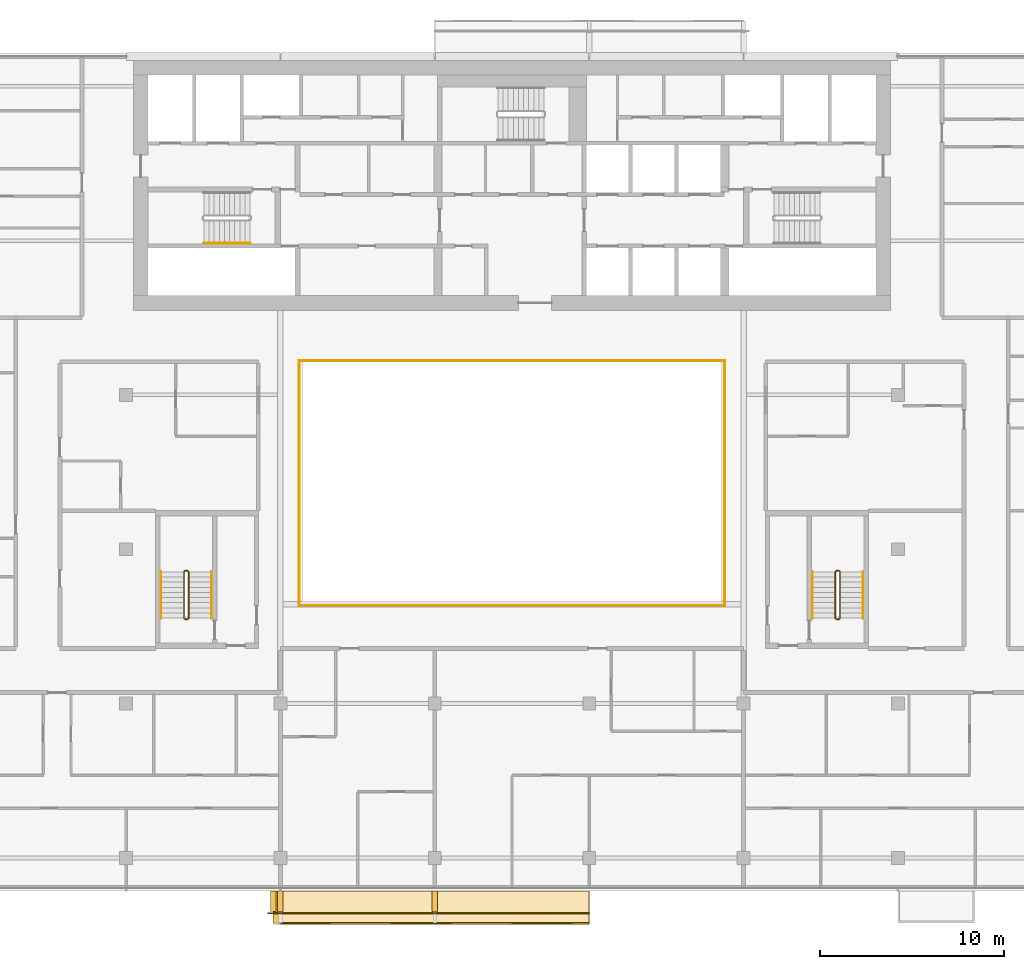
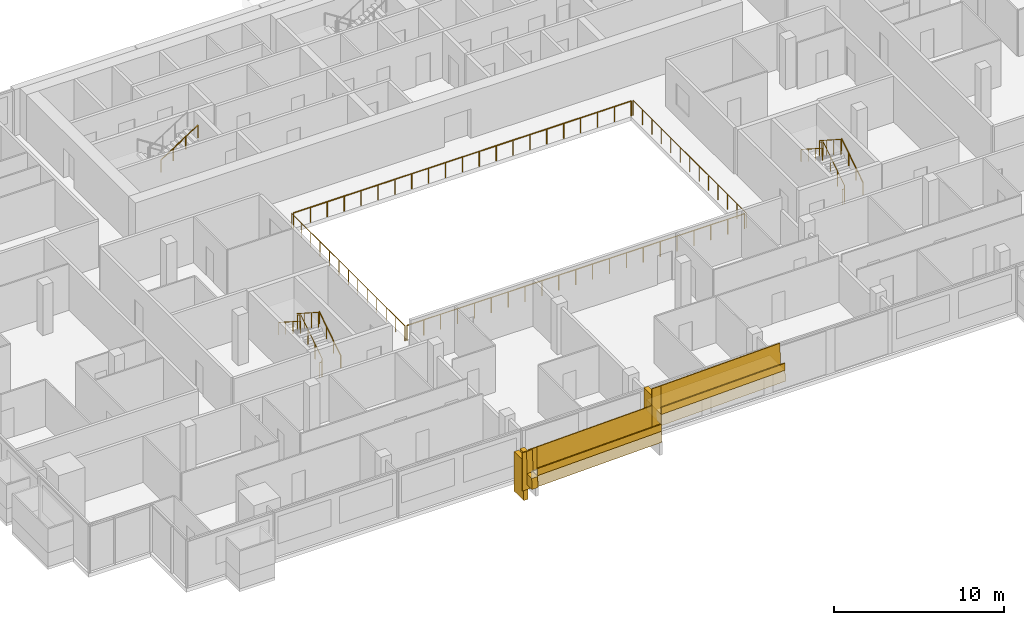
# One storey, part 27 of 28: 17 railings, 8 coverings.
"""IFC4 building model written with IfcOpenShell, lengths in metres."""

from ifc_helpers import new_model, si_unit, direction, frame, origin, origin_2d, place, context, subcontext, project, spatial, polyline, rectangle, circle, outline, extrude, material, layer, layer_set, type_object, element, save


model = new_model("IFC4")

# Units and contexts
model_context = context("Model", 3, precision=1e-05, world=origin(), true_north=direction((0.0, 1.0)))
body_context = subcontext(model_context, "Body", "Model", "MODEL_VIEW")
ifc_project = project(units=[si_unit("LENGTHUNIT", "METRE"), si_unit("AREAUNIT", "SQUARE_METRE"), si_unit("VOLUMEUNIT", "CUBIC_METRE"), si_unit("PLANEANGLEUNIT", "RADIAN"), si_unit("MASSUNIT", "GRAM", prefix="KILO")], contexts=[model_context])

# Site, building, storey
site_placement = place(None, origin())
site = spatial("IfcSite", under=ifc_project, at=site_placement, CompositionType="ELEMENT")
building_placement = place(site_placement, origin())
building = spatial("IfcBuilding", under=site, at=building_placement, Name="Saffron Gate Tower", CompositionType="ELEMENT")
storey_placement = place(building_placement, frame((0.0, 0.0, 151.050048828125)))
storey = spatial("IfcBuildingStorey", under=building, at=storey_placement, Name="L36", CompositionType="ELEMENT", Elevation=151.050048828125)

# Railings
ifc_material_1 = material(Name="Stainless steel and laminated glass", Category="steel")
railing_type_1 = type_object("IfcRailingType", Name="AG1 Atrium edge guard 1100", PredefinedType="GUARDRAIL", material=ifc_material_1)
railing_1_placement = place(storey_placement, frame((76.02001953125, 45.5400390625, 0.0)))
element("IfcRailing", 1, at=railing_1_placement, inside=storey, type_object=railing_type_1, Name="Guard C1-1", PredefinedType="GUARDRAIL", context=body_context, shape_type="SweptSolid", body=[
    extrude(circle(Radius=0.02392578125, at=origin_2d()), frame((0.0, 0.0, 1.076171875), z_axis=(0.0, 1.0, 0.0), x_axis=(-1.0, 0.0, 0.0)), (0.0, 0.0, 1.0), 13.320068359375),
    extrude(circle(Radius=0.02099609375, at=origin_2d()), origin(), (0.0, 0.0, 1.0), 1.052001953125),
    extrude(circle(Radius=0.02099609375, at=origin_2d()), frame((0.0, 1.110107421875, 0.0)), (0.0, 0.0, 1.0), 1.052001953125),
    extrude(circle(Radius=0.02099609375, at=origin_2d()), frame((0.0, 2.219970703125, 0.0)), (0.0, 0.0, 1.0), 1.052001953125),
    extrude(circle(Radius=0.02099609375, at=origin_2d()), frame((0.0, 3.330078125, 0.0)), (0.0, 0.0, 1.0), 1.052001953125),
    extrude(circle(Radius=0.02099609375, at=origin_2d()), frame((0.0, 4.43994140625, 0.0)), (0.0, 0.0, 1.0), 1.052001953125),
    extrude(circle(Radius=0.02099609375, at=origin_2d()), frame((0.0, 5.550048828125, 0.0)), (0.0, 0.0, 1.0), 1.052001953125),
    extrude(circle(Radius=0.02099609375, at=origin_2d()), frame((0.0, 6.66015625, 0.0)), (0.0, 0.0, 1.0), 1.052001953125),
    extrude(circle(Radius=0.02099609375, at=origin_2d()), frame((0.0, 7.77001953125, 0.0)), (0.0, 0.0, 1.0), 1.052001953125),
    extrude(circle(Radius=0.02099609375, at=origin_2d()), frame((0.0, 8.880126953125, 0.0)), (0.0, 0.0, 1.0), 1.052001953125),
    extrude(circle(Radius=0.02099609375, at=origin_2d()), frame((0.0, 9.989990234375, 0.0)), (0.0, 0.0, 1.0), 1.052001953125),
    extrude(circle(Radius=0.02099609375, at=origin_2d()), frame((0.0, 11.10009765625, 0.0)), (0.0, 0.0, 1.0), 1.052001953125),
    extrude(circle(Radius=0.02099609375, at=origin_2d()), frame((0.0, 12.2099609375, 0.0)), (0.0, 0.0, 1.0), 1.052001953125),
    extrude(circle(Radius=0.02099609375, at=origin_2d()), frame((0.0, 13.320068359375, 0.0)), (0.0, 0.0, 1.0), 1.052001953125),
])
railing_2_placement = place(storey_placement, frame((76.139892578125, 58.860107421875, 0.0)))
element("IfcRailing", 2, at=railing_2_placement, inside=storey, type_object=railing_type_1, Name="Guard C1-2", PredefinedType="GUARDRAIL", context=body_context, shape_type="SweptSolid", body=[
    extrude(circle(Radius=0.02392578125, at=origin_2d()), frame((0.0, 0.0, 1.076171875), z_axis=(1.0, 0.0, 0.0), x_axis=(0.0, 1.0, 0.0)), (0.0, 0.0, 1.0), 22.920166015625),
    extrude(circle(Radius=0.02099609375, at=origin_2d()), origin(), (0.0, 0.0, 1.0), 1.052001953125),
    extrude(circle(Radius=0.02099609375, at=origin_2d()), frame((1.14599609375, 0.0, 0.0)), (0.0, 0.0, 1.0), 1.052001953125),
    extrude(circle(Radius=0.02099609375, at=origin_2d()), frame((2.2919921875, 0.0, 0.0)), (0.0, 0.0, 1.0), 1.052001953125),
    extrude(circle(Radius=0.02099609375, at=origin_2d()), frame((3.43798828125, 0.0, 0.0)), (0.0, 0.0, 1.0), 1.052001953125),
    extrude(circle(Radius=0.02099609375, at=origin_2d()), frame((4.583984375, 0.0, 0.0)), (0.0, 0.0, 1.0), 1.052001953125),
    extrude(circle(Radius=0.02099609375, at=origin_2d()), frame((5.72998046875, 0.0, 0.0)), (0.0, 0.0, 1.0), 1.052001953125),
    extrude(circle(Radius=0.02099609375, at=origin_2d()), frame((6.8759765625, 0.0, 0.0)), (0.0, 0.0, 1.0), 1.052001953125),
    extrude(circle(Radius=0.02099609375, at=origin_2d()), frame((8.02197265625, 0.0, 0.0)), (0.0, 0.0, 1.0), 1.052001953125),
    extrude(circle(Radius=0.02099609375, at=origin_2d()), frame((9.16796875, 0.0, 0.0)), (0.0, 0.0, 1.0), 1.052001953125),
    extrude(circle(Radius=0.02099609375, at=origin_2d()), frame((10.31396484375, 0.0, 0.0)), (0.0, 0.0, 1.0), 1.052001953125),
    extrude(circle(Radius=0.02099609375, at=origin_2d()), frame((11.4599609375, 0.0, 0.0)), (0.0, 0.0, 1.0), 1.052001953125),
    extrude(circle(Radius=0.02099609375, at=origin_2d()), frame((12.606201171875, 0.0, 0.0)), (0.0, 0.0, 1.0), 1.052001953125),
    extrude(circle(Radius=0.02099609375, at=origin_2d()), frame((13.752197265625, 0.0, 0.0)), (0.0, 0.0, 1.0), 1.052001953125),
    extrude(circle(Radius=0.02099609375, at=origin_2d()), frame((14.898193359375, 0.0, 0.0)), (0.0, 0.0, 1.0), 1.052001953125),
    extrude(circle(Radius=0.02099609375, at=origin_2d()), frame((16.044189453125, 0.0, 0.0)), (0.0, 0.0, 1.0), 1.052001953125),
    extrude(circle(Radius=0.02099609375, at=origin_2d()), frame((17.190185546875, 0.0, 0.0)), (0.0, 0.0, 1.0), 1.052001953125),
    extrude(circle(Radius=0.02099609375, at=origin_2d()), frame((18.336181640625, 0.0, 0.0)), (0.0, 0.0, 1.0), 1.052001953125),
    extrude(circle(Radius=0.02099609375, at=origin_2d()), frame((19.482177734375, 0.0, 0.0)), (0.0, 0.0, 1.0), 1.052001953125),
    extrude(circle(Radius=0.02099609375, at=origin_2d()), frame((20.628173828125, 0.0, 0.0)), (0.0, 0.0, 1.0), 1.052001953125),
    extrude(circle(Radius=0.02099609375, at=origin_2d()), frame((21.774169921875, 0.0, 0.0)), (0.0, 0.0, 1.0), 1.052001953125),
    extrude(circle(Radius=0.02099609375, at=origin_2d()), frame((22.920166015625, 0.0, 0.0)), (0.0, 0.0, 1.0), 1.052001953125),
])
railing_3_placement = place(storey_placement, frame((99.179931640625, 58.860107421875, 0.0)))
element("IfcRailing", 3, at=railing_3_placement, inside=storey, type_object=railing_type_1, Name="Guard C1-3", PredefinedType="GUARDRAIL", context=body_context, shape_type="SweptSolid", body=[
    extrude(circle(Radius=0.02392578125, at=origin_2d()), frame((0.0, 0.0, 1.076171875), z_axis=(0.0, -1.0, 0.0), x_axis=(1.0, 0.0, 0.0)), (0.0, 0.0, 1.0), 13.320068359375),
    extrude(circle(Radius=0.02099609375, at=origin_2d()), origin(), (0.0, 0.0, 1.0), 1.052001953125),
    extrude(circle(Radius=0.02099609375, at=origin_2d()), frame((0.0, -1.110107421875, 0.0)), (0.0, 0.0, 1.0), 1.052001953125),
    extrude(circle(Radius=0.02099609375, at=origin_2d()), frame((0.0, -2.219970703125, 0.0)), (0.0, 0.0, 1.0), 1.052001953125),
    extrude(circle(Radius=0.02099609375, at=origin_2d()), frame((0.0, -3.330078125, 0.0)), (0.0, 0.0, 1.0), 1.052001953125),
    extrude(circle(Radius=0.02099609375, at=origin_2d()), frame((0.0, -4.43994140625, 0.0)), (0.0, 0.0, 1.0), 1.052001953125),
    extrude(circle(Radius=0.02099609375, at=origin_2d()), frame((0.0, -5.550048828125, 0.0)), (0.0, 0.0, 1.0), 1.052001953125),
    extrude(circle(Radius=0.02099609375, at=origin_2d()), frame((0.0, -6.66015625, 0.0)), (0.0, 0.0, 1.0), 1.052001953125),
    extrude(circle(Radius=0.02099609375, at=origin_2d()), frame((0.0, -7.77001953125, 0.0)), (0.0, 0.0, 1.0), 1.052001953125),
    extrude(circle(Radius=0.02099609375, at=origin_2d()), frame((0.0, -8.880126953125, 0.0)), (0.0, 0.0, 1.0), 1.052001953125),
    extrude(circle(Radius=0.02099609375, at=origin_2d()), frame((0.0, -9.989990234375, 0.0)), (0.0, 0.0, 1.0), 1.052001953125),
    extrude(circle(Radius=0.02099609375, at=origin_2d()), frame((0.0, -11.10009765625, 0.0)), (0.0, 0.0, 1.0), 1.052001953125),
    extrude(circle(Radius=0.02099609375, at=origin_2d()), frame((0.0, -12.2099609375, 0.0)), (0.0, 0.0, 1.0), 1.052001953125),
    extrude(circle(Radius=0.02099609375, at=origin_2d()), frame((0.0, -13.320068359375, 0.0)), (0.0, 0.0, 1.0), 1.052001953125),
])
railing_4_placement = place(storey_placement, frame((99.06005859375, 45.5400390625, 0.0)))
element("IfcRailing", 4, at=railing_4_placement, inside=storey, type_object=railing_type_1, Name="Guard C1-4", PredefinedType="GUARDRAIL", context=body_context, shape_type="SweptSolid", body=[
    extrude(circle(Radius=0.02392578125, at=origin_2d()), frame((0.0, 0.0, 1.076171875), z_axis=(-1.0, 0.0, 0.0), x_axis=(0.0, -1.0, 0.0)), (0.0, 0.0, 1.0), 22.920166015625),
    extrude(circle(Radius=0.02099609375, at=origin_2d()), origin(), (0.0, 0.0, 1.0), 1.052001953125),
    extrude(circle(Radius=0.02099609375, at=origin_2d()), frame((-1.14599609375, 0.0, 0.0)), (0.0, 0.0, 1.0), 1.052001953125),
    extrude(circle(Radius=0.02099609375, at=origin_2d()), frame((-2.2919921875, 0.0, 0.0)), (0.0, 0.0, 1.0), 1.052001953125),
    extrude(circle(Radius=0.02099609375, at=origin_2d()), frame((-3.43798828125, 0.0, 0.0)), (0.0, 0.0, 1.0), 1.052001953125),
    extrude(circle(Radius=0.02099609375, at=origin_2d()), frame((-4.583984375, 0.0, 0.0)), (0.0, 0.0, 1.0), 1.052001953125),
    extrude(circle(Radius=0.02099609375, at=origin_2d()), frame((-5.72998046875, 0.0, 0.0)), (0.0, 0.0, 1.0), 1.052001953125),
    extrude(circle(Radius=0.02099609375, at=origin_2d()), frame((-6.8759765625, 0.0, 0.0)), (0.0, 0.0, 1.0), 1.052001953125),
    extrude(circle(Radius=0.02099609375, at=origin_2d()), frame((-8.02197265625, 0.0, 0.0)), (0.0, 0.0, 1.0), 1.052001953125),
    extrude(circle(Radius=0.02099609375, at=origin_2d()), frame((-9.16796875, 0.0, 0.0)), (0.0, 0.0, 1.0), 1.052001953125),
    extrude(circle(Radius=0.02099609375, at=origin_2d()), frame((-10.31396484375, 0.0, 0.0)), (0.0, 0.0, 1.0), 1.052001953125),
    extrude(circle(Radius=0.02099609375, at=origin_2d()), frame((-11.4599609375, 0.0, 0.0)), (0.0, 0.0, 1.0), 1.052001953125),
    extrude(circle(Radius=0.02099609375, at=origin_2d()), frame((-12.606201171875, 0.0, 0.0)), (0.0, 0.0, 1.0), 1.052001953125),
    extrude(circle(Radius=0.02099609375, at=origin_2d()), frame((-13.752197265625, 0.0, 0.0)), (0.0, 0.0, 1.0), 1.052001953125),
    extrude(circle(Radius=0.02099609375, at=origin_2d()), frame((-14.898193359375, 0.0, 0.0)), (0.0, 0.0, 1.0), 1.052001953125),
    extrude(circle(Radius=0.02099609375, at=origin_2d()), frame((-16.044189453125, 0.0, 0.0)), (0.0, 0.0, 1.0), 1.052001953125),
    extrude(circle(Radius=0.02099609375, at=origin_2d()), frame((-17.190185546875, 0.0, 0.0)), (0.0, 0.0, 1.0), 1.052001953125),
    extrude(circle(Radius=0.02099609375, at=origin_2d()), frame((-18.336181640625, 0.0, 0.0)), (0.0, 0.0, 1.0), 1.052001953125),
    extrude(circle(Radius=0.02099609375, at=origin_2d()), frame((-19.482177734375, 0.0, 0.0)), (0.0, 0.0, 1.0), 1.052001953125),
    extrude(circle(Radius=0.02099609375, at=origin_2d()), frame((-20.628173828125, 0.0, 0.0)), (0.0, 0.0, 1.0), 1.052001953125),
    extrude(circle(Radius=0.02099609375, at=origin_2d()), frame((-21.774169921875, 0.0, 0.0)), (0.0, 0.0, 1.0), 1.052001953125),
    extrude(circle(Radius=0.02099609375, at=origin_2d()), frame((-22.920166015625, 0.0, 0.0)), (0.0, 0.0, 1.0), 1.052001953125),
])
railing_type_2 = type_object("IfcRailingType", Name="CR1 Stair guard 1100", PredefinedType="GUARDRAIL", material=ifc_material_1)
railing_5_placement = place(storey_placement, frame((69.800048828125, 44.800048828125, 0.0)))
element("IfcRailing", 5, at=railing_5_placement, inside=storey, type_object=railing_type_2, Name="L36 ST-D stair guard 1", PredefinedType="GUARDRAIL", context=body_context, shape_type="SweptSolid", body=[
    extrude(circle(Radius=0.02392578125, at=origin_2d()), frame((0.0, 0.0, 1.076171875), z_axis=(1.0, 0.0, 0.0), x_axis=(0.0, 1.0, 0.0)), (0.0, 0.0, 1.0), 0.14990234375),
    extrude(circle(Radius=0.02392578125, at=origin_2d()), frame((0.14990234375, 0.0, 1.076171875), z_axis=(0.258847668887, 0.258847668887, 0.930588936439), x_axis=(-0.707106781187, 0.707106781187, 0.0)), (0.0, 0.0, 1.0), 0.193359375),
    extrude(circle(Radius=0.02392578125, at=origin_2d()), frame((0.199951171875, 0.050048828125, 1.255859375), z_axis=(0.0, 0.841162588446, 0.540782303519), x_axis=(-1.0, 0.0, 0.0)), (0.0, 0.0, 1.0), 2.995849609375),
    extrude(circle(Radius=0.02392578125, at=origin_2d()), frame((0.199951171875, 2.570068359375, 2.8759765625), z_axis=(-0.708833529934, 0.705375805398, 0.0), x_axis=(-0.705375805398, -0.708833529934, 0.0)), (0.0, 0.0, 1.0), 0.070556640625),
    extrude(circle(Radius=0.02392578125, at=origin_2d()), frame((0.14990234375, 2.619873046875, 2.8759765625), z_axis=(-1.0, 0.0, 0.0), x_axis=(0.0, -1.0, 0.0)), (0.0, 0.0, 1.0), 0.14990234375),
    extrude(circle(Radius=0.02392578125, at=origin_2d()), frame((0.0, 2.619873046875, 2.8759765625), z_axis=(-0.258932105505, -0.257669022063, 0.930892496375), x_axis=(0.705375805398, -0.708833529934, 0.0)), (0.0, 0.0, 1.0), 0.193359375),
    extrude(circle(Radius=0.02392578125, at=origin_2d()), frame((-0.050048828125, 2.570068359375, 3.05615234375), z_axis=(0.0, -0.841199657755, 0.540724639528), x_axis=(1.0, 0.0, 0.0)), (0.0, 0.0, 1.0), 2.995849609375),
    extrude(circle(Radius=0.02099609375, at=origin_2d()), origin(), (0.0, 0.0, 1.0), 1.052001953125),
    extrude(circle(Radius=0.02099609375, at=origin_2d()), frame((0.14990234375, 0.0, 0.0)), (0.0, 0.0, 1.0), 1.052001953125),
    extrude(circle(Radius=0.02099609375, at=origin_2d()), frame((0.199951171875, 0.050048828125, 0.179931640625)), (0.0, 0.0, 1.0), 1.052001953125),
    extrude(circle(Radius=0.02099609375, at=origin_2d()), frame((0.199951171875, 0.89013671875, 0.719970703125)), (0.0, 0.0, 1.0), 1.052001953125),
    extrude(circle(Radius=0.02099609375, at=origin_2d()), frame((0.199951171875, 1.72998046875, 1.260009765625)), (0.0, 0.0, 1.0), 1.052001953125),
    extrude(circle(Radius=0.02099609375, at=origin_2d()), frame((0.199951171875, 2.570068359375, 1.800048828125)), (0.0, 0.0, 1.0), 1.052001953125),
    extrude(circle(Radius=0.02099609375, at=origin_2d()), frame((0.14990234375, 2.619873046875, 1.800048828125)), (0.0, 0.0, 1.0), 1.052001953125),
    extrude(circle(Radius=0.02099609375, at=origin_2d()), frame((0.0, 2.619873046875, 1.800048828125)), (0.0, 0.0, 1.0), 1.052001953125),
    extrude(circle(Radius=0.02099609375, at=origin_2d()), frame((-0.050048828125, 2.570068359375, 1.97998046875)), (0.0, 0.0, 1.0), 1.052001953125),
    extrude(circle(Radius=0.02099609375, at=origin_2d()), frame((-0.050048828125, 1.72998046875, 2.52001953125)), (0.0, 0.0, 1.0), 1.052001953125),
    extrude(circle(Radius=0.02099609375, at=origin_2d()), frame((-0.050048828125, 0.89013671875, 3.059814453125)), (0.0, 0.0, 1.0), 1.052001953125),
    extrude(circle(Radius=0.02099609375, at=origin_2d()), frame((-0.050048828125, 0.050048828125, 3.599853515625)), (0.0, 0.0, 1.0), 1.052001953125),
])
railing_6_placement = place(storey_placement, frame((105.25, 44.800048828125, 0.0)))
element("IfcRailing", 6, at=railing_6_placement, inside=storey, type_object=railing_type_2, Name="L36 ST-E stair guard 1", PredefinedType="GUARDRAIL", context=body_context, shape_type="SweptSolid", body=[
    extrude(circle(Radius=0.02392578125, at=origin_2d()), frame((0.0, 0.0, 1.076171875), z_axis=(1.0, 0.0, 0.0), x_axis=(0.0, 1.0, 0.0)), (0.0, 0.0, 1.0), 0.14990234375),
    extrude(circle(Radius=0.02392578125, at=origin_2d()), frame((0.14990234375, 0.0, 1.076171875), z_axis=(0.258847668887, 0.258847668887, 0.930588936439), x_axis=(-0.707106781187, 0.707106781187, 0.0)), (0.0, 0.0, 1.0), 0.193359375),
    extrude(circle(Radius=0.02392578125, at=origin_2d()), frame((0.199951171875, 0.050048828125, 1.255859375), z_axis=(0.0, 0.841162588446, 0.540782303519), x_axis=(-1.0, 0.0, 0.0)), (0.0, 0.0, 1.0), 2.995849609375),
    extrude(circle(Radius=0.02392578125, at=origin_2d()), frame((0.199951171875, 2.570068359375, 2.8759765625), z_axis=(-0.708833529934, 0.705375805398, 0.0), x_axis=(-0.705375805398, -0.708833529934, 0.0)), (0.0, 0.0, 1.0), 0.070556640625),
    extrude(circle(Radius=0.02392578125, at=origin_2d()), frame((0.14990234375, 2.619873046875, 2.8759765625), z_axis=(-1.0, 0.0, 0.0), x_axis=(0.0, -1.0, 0.0)), (0.0, 0.0, 1.0), 0.14990234375),
    extrude(circle(Radius=0.02392578125, at=origin_2d()), frame((0.0, 2.619873046875, 2.8759765625), z_axis=(-0.258932105505, -0.257669022063, 0.930892496375), x_axis=(0.705375805398, -0.708833529934, 0.0)), (0.0, 0.0, 1.0), 0.193359375),
    extrude(circle(Radius=0.02392578125, at=origin_2d()), frame((-0.050048828125, 2.570068359375, 3.05615234375), z_axis=(0.0, -0.841199657755, 0.540724639528), x_axis=(1.0, 0.0, 0.0)), (0.0, 0.0, 1.0), 2.995849609375),
    extrude(circle(Radius=0.02099609375, at=origin_2d()), origin(), (0.0, 0.0, 1.0), 1.052001953125),
    extrude(circle(Radius=0.02099609375, at=origin_2d()), frame((0.14990234375, 0.0, 0.0)), (0.0, 0.0, 1.0), 1.052001953125),
    extrude(circle(Radius=0.02099609375, at=origin_2d()), frame((0.199951171875, 0.050048828125, 0.179931640625)), (0.0, 0.0, 1.0), 1.052001953125),
    extrude(circle(Radius=0.02099609375, at=origin_2d()), frame((0.199951171875, 0.89013671875, 0.719970703125)), (0.0, 0.0, 1.0), 1.052001953125),
    extrude(circle(Radius=0.02099609375, at=origin_2d()), frame((0.199951171875, 1.72998046875, 1.260009765625)), (0.0, 0.0, 1.0), 1.052001953125),
    extrude(circle(Radius=0.02099609375, at=origin_2d()), frame((0.199951171875, 2.570068359375, 1.800048828125)), (0.0, 0.0, 1.0), 1.052001953125),
    extrude(circle(Radius=0.02099609375, at=origin_2d()), frame((0.14990234375, 2.619873046875, 1.800048828125)), (0.0, 0.0, 1.0), 1.052001953125),
    extrude(circle(Radius=0.02099609375, at=origin_2d()), frame((0.0, 2.619873046875, 1.800048828125)), (0.0, 0.0, 1.0), 1.052001953125),
    extrude(circle(Radius=0.02099609375, at=origin_2d()), frame((-0.050048828125, 2.570068359375, 1.97998046875)), (0.0, 0.0, 1.0), 1.052001953125),
    extrude(circle(Radius=0.02099609375, at=origin_2d()), frame((-0.050048828125, 1.72998046875, 2.52001953125)), (0.0, 0.0, 1.0), 1.052001953125),
    extrude(circle(Radius=0.02099609375, at=origin_2d()), frame((-0.050048828125, 0.89013671875, 3.059814453125)), (0.0, 0.0, 1.0), 1.052001953125),
    extrude(circle(Radius=0.02099609375, at=origin_2d()), frame((-0.050048828125, 0.050048828125, 3.599853515625)), (0.0, 0.0, 1.0), 1.052001953125),
])
ifc_material_2 = material(Name="Stainless steel", Category="steel")
railing_type_3 = type_object("IfcRailingType", Name="CR2 Stair handrail 900", PredefinedType="HANDRAIL", material=ifc_material_2)
railing_7_placement = place(storey_placement, frame((70.830078125, 65.25, 1.97998046875)))
element("IfcRailing", 7, at=railing_7_placement, inside=storey, type_object=railing_type_3, Name="L36 ST-A stair handrail 2", PredefinedType="HANDRAIL", context=body_context, shape_type="SweptSolid", body=[
    extrude(circle(Radius=0.02392578125, at=origin_2d()), frame((0.0, 0.0, 0.8759765625), z_axis=(0.841199657755, 0.0, 0.540724639528), x_axis=(0.0, 1.0, 0.0)), (0.0, 0.0, 1.0), 2.995849609375),
    extrude(circle(Radius=0.02099609375, at=origin_2d()), origin(), (0.0, 0.0, 1.0), 0.851806640625),
    extrude(circle(Radius=0.02099609375, at=origin_2d()), frame((0.840087890625, 0.0, 0.5400390625)), (0.0, 0.0, 1.0), 0.851806640625),
    extrude(circle(Radius=0.02099609375, at=origin_2d()), frame((1.679931640625, 0.0, 1.079833984375)), (0.0, 0.0, 1.0), 0.851806640625),
    extrude(circle(Radius=0.02099609375, at=origin_2d()), frame((2.52001953125, 0.0, 1.619873046875)), (0.0, 0.0, 1.0), 0.851806640625),
])
railing_8_placement = place(storey_placement, frame((71.25, 44.85009765625, 0.179931640625)))
element("IfcRailing", 8, at=railing_8_placement, inside=storey, type_object=railing_type_3, Name="L36 ST-D stair handrail 1", PredefinedType="HANDRAIL", context=body_context, shape_type="SweptSolid", body=[
    extrude(circle(Radius=0.02392578125, at=origin_2d()), frame((0.0, 0.0, 0.8759765625), z_axis=(0.0, 0.841162588446, 0.540782303519), x_axis=(-1.0, 0.0, 0.0)), (0.0, 0.0, 1.0), 2.995849609375),
    extrude(circle(Radius=0.02099609375, at=origin_2d()), origin(), (0.0, 0.0, 1.0), 0.851806640625),
    extrude(circle(Radius=0.02099609375, at=origin_2d()), frame((0.0, 0.840087890625, 0.5400390625)), (0.0, 0.0, 1.0), 0.851806640625),
    extrude(circle(Radius=0.02099609375, at=origin_2d()), frame((0.0, 1.679931640625, 1.080078125)), (0.0, 0.0, 1.0), 0.851806640625),
    extrude(circle(Radius=0.02099609375, at=origin_2d()), frame((0.0, 2.52001953125, 1.6201171875)), (0.0, 0.0, 1.0), 0.851806640625),
])
railing_9_placement = place(storey_placement, frame((68.5, 47.3701171875, 1.97998046875)))
element("IfcRailing", 9, at=railing_9_placement, inside=storey, type_object=railing_type_3, Name="L36 ST-D stair handrail 2", PredefinedType="HANDRAIL", context=body_context, shape_type="SweptSolid", body=[
    extrude(circle(Radius=0.02392578125, at=origin_2d()), frame((0.0, 0.0, 0.8759765625), z_axis=(0.0, -0.841199657755, 0.540724639528), x_axis=(1.0, 0.0, 0.0)), (0.0, 0.0, 1.0), 2.995849609375),
    extrude(circle(Radius=0.02099609375, at=origin_2d()), origin(), (0.0, 0.0, 1.0), 0.851806640625),
    extrude(circle(Radius=0.02099609375, at=origin_2d()), frame((0.0, -0.840087890625, 0.5400390625)), (0.0, 0.0, 1.0), 0.851806640625),
    extrude(circle(Radius=0.02099609375, at=origin_2d()), frame((0.0, -1.679931640625, 1.079833984375)), (0.0, 0.0, 1.0), 0.851806640625),
    extrude(circle(Radius=0.02099609375, at=origin_2d()), frame((0.0, -2.52001953125, 1.619873046875)), (0.0, 0.0, 1.0), 0.851806640625),
])
railing_10_placement = place(storey_placement, frame((106.699951171875, 44.85009765625, 0.179931640625)))
element("IfcRailing", 10, at=railing_10_placement, inside=storey, type_object=railing_type_3, Name="L36 ST-E stair handrail 1", PredefinedType="HANDRAIL", context=body_context, shape_type="SweptSolid", body=[
    extrude(circle(Radius=0.02392578125, at=origin_2d()), frame((0.0, 0.0, 0.8759765625), z_axis=(0.0, 0.841162588446, 0.540782303519), x_axis=(-1.0, 0.0, 0.0)), (0.0, 0.0, 1.0), 2.995849609375),
    extrude(circle(Radius=0.02099609375, at=origin_2d()), origin(), (0.0, 0.0, 1.0), 0.851806640625),
    extrude(circle(Radius=0.02099609375, at=origin_2d()), frame((0.0, 0.840087890625, 0.5400390625)), (0.0, 0.0, 1.0), 0.851806640625),
    extrude(circle(Radius=0.02099609375, at=origin_2d()), frame((0.0, 1.679931640625, 1.080078125)), (0.0, 0.0, 1.0), 0.851806640625),
    extrude(circle(Radius=0.02099609375, at=origin_2d()), frame((0.0, 2.52001953125, 1.6201171875)), (0.0, 0.0, 1.0), 0.851806640625),
])
railing_11_placement = place(storey_placement, frame((103.949951171875, 47.3701171875, 1.97998046875)))
element("IfcRailing", 11, at=railing_11_placement, inside=storey, type_object=railing_type_3, Name="L36 ST-E stair handrail 2", PredefinedType="HANDRAIL", context=body_context, shape_type="SweptSolid", body=[
    extrude(circle(Radius=0.02392578125, at=origin_2d()), frame((0.0, 0.0, 0.8759765625), z_axis=(0.0, -0.841199657755, 0.540724639528), x_axis=(1.0, 0.0, 0.0)), (0.0, 0.0, 1.0), 2.995849609375),
    extrude(circle(Radius=0.02099609375, at=origin_2d()), origin(), (0.0, 0.0, 1.0), 0.851806640625),
    extrude(circle(Radius=0.02099609375, at=origin_2d()), frame((0.0, -0.840087890625, 0.5400390625)), (0.0, 0.0, 1.0), 0.851806640625),
    extrude(circle(Radius=0.02099609375, at=origin_2d()), frame((0.0, -1.679931640625, 1.079833984375)), (0.0, 0.0, 1.0), 0.851806640625),
    extrude(circle(Radius=0.02099609375, at=origin_2d()), frame((0.0, -2.52001953125, 1.619873046875)), (0.0, 0.0, 1.0), 0.851806640625),
])

# Coverings
ifc_material_3 = material(Name="Timber, thermally modified ash", Category="wood")
ifc_layer_1 = layer(ifc_material_3, 0.800048828125)
ifc_layer_set_1 = layer_set([ifc_layer_1], Name="LD1 ledge timber")
covering_type_1 = type_object("IfcCoveringType", Name="LD1 ledge timber", PredefinedType="CLADDING", material=ifc_layer_set_1)
covering_1_placement = place(storey_placement, frame((74.60009765625, 30.0, 1.146240234375), z_axis=(-0.028681724025, 0.0, 0.999588594726), x_axis=(0.999588594726, 0.0, 0.028681724025)))
element("IfcCovering", 12, at=covering_1_placement, inside=storey, type_object=covering_type_1, Name="LEDGE", PredefinedType="CLADDING", context=body_context, shape_type="SweptSolid", body=[
    extrude(outline(polyline([(0.0, 0.0), (0.40006693339621563, 0.0), (0.40006693339621563, -1.8000488281250004), (0.0, -1.8000488281250004), (0.0, 0.0)])), origin(), (0.0, 0.0, -1.0), 0.800048828125),
])
covering_2_placement = place(storey_placement, frame((75.0, 30.0, 1.21484375), z_axis=(-0.028791175352, 0.0, 0.999585448184), x_axis=(0.999585448184, 0.0, 0.028791175352)))
element("IfcCovering", 13, at=covering_2_placement, inside=storey, type_object=covering_type_1, Name="LEDGE", PredefinedType="CLADDING", context=body_context, shape_type="SweptSolid", body=[
    extrude(outline(polyline([(0.0, 0.0), (8.403385982666892, 0.0), (8.403385982666892, -1.800048828125), (0.0, -1.800048828125), (0.0, 0.0)])), origin(), (0.0, 0.0, -1.0), 0.800048828125),
])
covering_3_placement = place(storey_placement, frame((83.39990234375, 30.0, 2.6572265625), z_axis=(-0.028790339263, 0.0, 0.999585472266), x_axis=(0.999585472266, 0.0, 0.028790339263)))
element("IfcCovering", 14, at=covering_3_placement, inside=storey, type_object=covering_type_1, Name="LEDGE", PredefinedType="CLADDING", context=body_context, shape_type="SweptSolid", body=[
    extrude(outline(polyline([(0.0, 0.0), (8.403630022085892, 0.0), (8.403630022085892, -1.800048828125), (0.0, -1.800048828125), (0.0, 0.0)])), origin(), (0.0, 0.0, -1.0), 0.800048828125),
])
ifc_layer_2 = layer(ifc_material_3, 0.080078125)
ifc_layer_set_2 = layer_set([ifc_layer_2], Name="LD2 ledge planter trough")
covering_type_2 = type_object("IfcCoveringType", Name="LD2 ledge planter trough", PredefinedType="CLADDING", material=ifc_layer_set_2)
covering_4_placement = place(storey_placement, frame((75.0, 28.199951171875, 1.21484375), z_axis=(0.0, -1.0, 0.0), x_axis=(0.999585448184, 0.0, 0.028791175352)))
element("IfcCovering", 15, at=covering_4_placement, inside=storey, type_object=covering_type_2, Name="LEDGE planter trough", PredefinedType="CLADDING", context=body_context, shape_type="SweptSolid", body=[
    extrude(outline(polyline([(0.0, 0.0), (8.403385982666892, 0.0), (8.417781570342743, 0.49979272409216496), (0.014395587675851172, 0.4997927240921649), (0.0, 0.0)])), origin(), (0.0, 0.0, -1.0), 0.080078125),
])
covering_5_placement = place(storey_placement, frame((83.39990234375, 28.199951171875, 2.6572265625), z_axis=(0.0, -1.0, 0.0), x_axis=(0.999585472266, 0.0, 0.028790339263)))
element("IfcCovering", 16, at=covering_5_placement, inside=storey, type_object=covering_type_2, Name="LEDGE planter trough", PredefinedType="CLADDING", context=body_context, shape_type="SweptSolid", body=[
    extrude(outline(polyline([(0.0, 0.0), (8.403630022085892, 0.0), (8.418025191717298, 0.4997927361329725), (0.014395169631405694, 0.4997927361329725), (0.0, 0.0)])), origin(), (0.0, 0.0, -1.0), 0.080078125),
])
ifc_layer_3 = layer(ifc_material_3, 0.300048828125)
ifc_layer_set_3 = layer_set([ifc_layer_3], Name="LD3 ledge riser fin")
covering_type_3 = type_object("IfcCoveringType", Name="LD3 ledge riser fin", PredefinedType="CLADDING", material=ifc_layer_set_3)
covering_6_placement = place(storey_placement, frame((74.60009765625, 29.43994140625, -0.797119140625), z_axis=(0.0, 0.0, 1.0), x_axis=(1.0, 0.0, 0.0)))
element("IfcCovering", 17, at=covering_6_placement, inside=storey, type_object=covering_type_3, Name="LEDGE riser fin", PredefinedType="CLADDING", context=body_context, shape_type="SweptSolid", body=[
    extrude(rectangle(XDim=0.300048828125, YDim=1.1201171875, at=origin_2d()), origin(), (0.0, 0.0, 1.0), 2.84326171875),
])
covering_7_placement = place(storey_placement, frame((75.0, 29.43994140625, 0.35791015625), z_axis=(0.0, 0.0, 1.0), x_axis=(1.0, 0.0, 0.0)))
element("IfcCovering", 18, at=covering_7_placement, inside=storey, type_object=covering_type_3, Name="LEDGE riser fin", PredefinedType="CLADDING", context=body_context, shape_type="SweptSolid", body=[
    extrude(rectangle(XDim=0.300048828125, YDim=1.1201171875, at=origin_2d()), origin(), (0.0, 0.0, 1.0), 1.757080078125),
])
covering_8_placement = place(storey_placement, frame((83.39990234375, 29.43994140625, 0.65673828125), z_axis=(0.0, 0.0, 1.0), x_axis=(1.0, 0.0, 0.0)))
element("IfcCovering", 19, at=covering_8_placement, inside=storey, type_object=covering_type_3, Name="LEDGE riser fin", PredefinedType="CLADDING", context=body_context, shape_type="SweptSolid", body=[
    extrude(rectangle(XDim=0.300048828125, YDim=1.1201171875, at=origin_2d()), origin(), (0.0, 0.0, 1.0), 2.900390625),
])

# Railings
railing_type_4 = type_object("IfcRailingType", Name="LG1 ledge balustrade", PredefinedType="BALUSTRADE", material=ifc_material_3)
railing_12_placement = place(storey_placement, frame((74.60009765625, 28.800048828125, 1.146240234375)))
element("IfcRailing", 20, at=railing_12_placement, inside=storey, type_object=railing_type_4, Name="LEDGE BALUSTRADE", PredefinedType="BALUSTRADE", context=body_context, shape_type="SweptSolid", body=[
    extrude(rectangle(XDim=0.06005859375, YDim=1.60009765625, at=origin_2d()), frame((0.0, 0.0, 0.800048828125), z_axis=(0.999588594726, 0.0, 0.028681724025), x_axis=(0.0, 1.0, 0.0)), (0.0, 0.0, 1.0), 0.400146484375),
])
railing_13_placement = place(storey_placement, frame((74.300048828125, 28.800048828125, 0.0029296875)))
element("IfcRailing", 21, at=railing_13_placement, inside=storey, type_object=railing_type_4, Name="LEDGE BALUSTRADE", PredefinedType="BALUSTRADE", context=body_context, shape_type="SweptSolid", body=[
    extrude(rectangle(XDim=0.06005859375, YDim=2.7431640625, at=origin_2d()), frame((0.0, 0.0, 1.37158203125), z_axis=(1.0, 0.0, 0.0), x_axis=(0.0, 1.0, 0.0)), (0.0, 0.0, 1.0), 0.599853515625),
])
railing_14_placement = place(storey_placement, frame((75.0, 28.800048828125, 1.21484375)))
element("IfcRailing", 22, at=railing_14_placement, inside=storey, type_object=railing_type_4, Name="LEDGE BALUSTRADE", PredefinedType="BALUSTRADE", context=body_context, shape_type="SweptSolid", body=[
    extrude(rectangle(XDim=0.06005859375, YDim=1.60009765625, at=origin_2d()), frame((0.0, 0.0, 0.800048828125), z_axis=(0.999585448184, 0.0, 0.028791175352), x_axis=(0.0, 1.0, 0.0)), (0.0, 0.0, 1.0), 8.4033203125),
])
railing_15_placement = place(storey_placement, frame((74.699951171875, 28.800048828125, 1.15771484375)))
element("IfcRailing", 23, at=railing_15_placement, inside=storey, type_object=railing_type_4, Name="LEDGE BALUSTRADE", PredefinedType="BALUSTRADE", context=body_context, shape_type="SweptSolid", body=[
    extrude(rectangle(XDim=0.06005859375, YDim=1.6572265625, at=origin_2d()), frame((0.0, 0.0, 0.82861328125), z_axis=(1.0, 0.0, 0.0), x_axis=(0.0, 1.0, 0.0)), (0.0, 0.0, 1.0), 0.60009765625),
])
railing_16_placement = place(storey_placement, frame((83.39990234375, 28.800048828125, 2.6572265625)))
element("IfcRailing", 24, at=railing_16_placement, inside=storey, type_object=railing_type_4, Name="LEDGE BALUSTRADE", PredefinedType="BALUSTRADE", context=body_context, shape_type="SweptSolid", body=[
    extrude(rectangle(XDim=0.06005859375, YDim=1.60009765625, at=origin_2d()), frame((0.0, 0.0, 0.800048828125), z_axis=(0.999585472266, 0.0, 0.028790339263), x_axis=(0.0, 1.0, 0.0)), (0.0, 0.0, 1.0), 8.403564453125),
])
railing_17_placement = place(storey_placement, frame((83.10009765625, 28.800048828125, 1.456787109375)))
element("IfcRailing", 25, at=railing_17_placement, inside=storey, type_object=railing_type_4, Name="LEDGE BALUSTRADE", PredefinedType="BALUSTRADE", context=body_context, shape_type="SweptSolid", body=[
    extrude(rectangle(XDim=0.06005859375, YDim=2.80029296875, at=origin_2d()), frame((0.0, 0.0, 1.400146484375), z_axis=(1.0, 0.0, 0.0), x_axis=(0.0, 1.0, 0.0)), (0.0, 0.0, 1.0), 0.599853515625),
])

save(model, "model.ifc")
